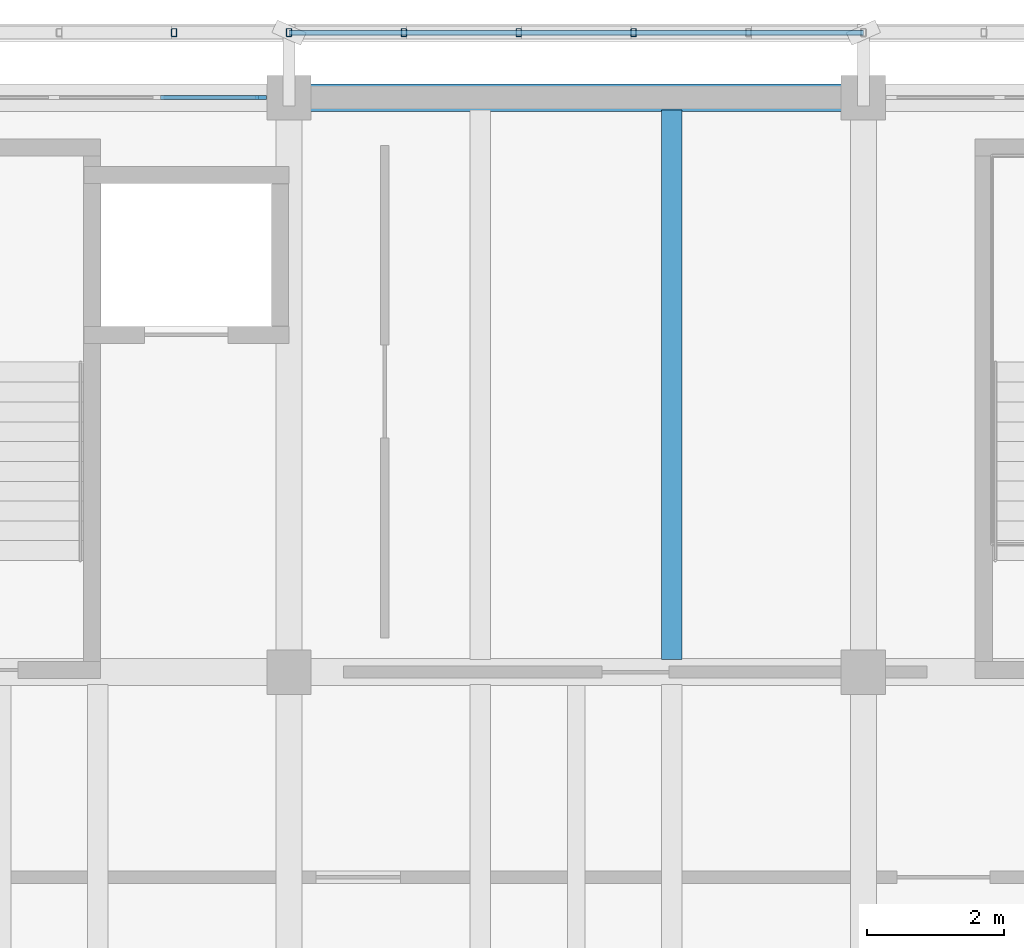
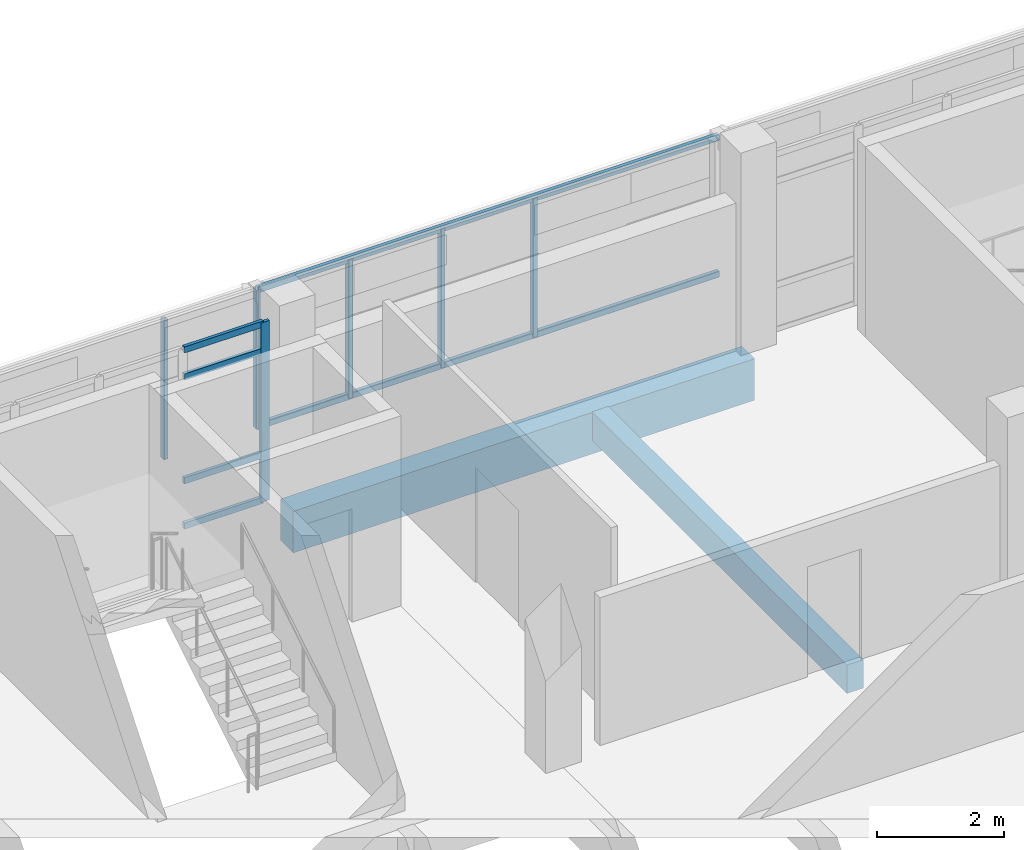
# One storey, part 50 of 117: 12 members, 2 beams, 1 element without a shape of its own.
"""IFC4 building model written with IfcOpenShell, lengths in metres."""

from ifc_helpers import new_model, si_unit, direction, frame, origin, origin_2d, place, context, subcontext, project, spatial, rectangle, hollow_rectangle, extrude, material, material_profile, profile_set, type_object, element, aggregate, save


model = new_model("IFC4")

# Units and contexts
model_context = context("Model", 3, precision=1e-05, world=origin(), true_north=direction((0.0, 1.0)))
body_context = subcontext(model_context, "Body", "Model", "MODEL_VIEW")
ifc_project = project(units=[si_unit("LENGTHUNIT", "METRE"), si_unit("AREAUNIT", "SQUARE_METRE"), si_unit("VOLUMEUNIT", "CUBIC_METRE"), si_unit("PLANEANGLEUNIT", "RADIAN"), si_unit("MASSUNIT", "GRAM", prefix="KILO")], contexts=[model_context])

# Site, building, storey
site_placement = place(None, origin())
site = spatial("IfcSite", under=ifc_project, at=site_placement, CompositionType="ELEMENT")
building_placement = place(site_placement, origin())
building = spatial("IfcBuilding", under=site, at=building_placement, Name="Cinderway Yard Community Centre", CompositionType="ELEMENT")
storey_placement = place(building_placement, frame((0.0, 0.0, 9.0)))
storey = spatial("IfcBuildingStorey", under=building, at=storey_placement, Name="L02", CompositionType="ELEMENT", Elevation=9.0)

# Curtain wall, members
ifc_material_1 = material(Name="Aluminium 6063-T6", Category="aluminium")
curtain_wall_type = type_object("IfcCurtainWallType", Name="ENV-CW-TYPE-29", PredefinedType="USERDEFINED", material=ifc_material_1)
curtain_wall_placement = place(storey_placement, origin())
curtain_wall = element("IfcCurtainWall", 1, at=curtain_wall_placement, inside=storey, type_object=curtain_wall_type, Name="V4 Street Curtain Wall ENV-CW-L02-ST-0145", ObjectType="GLAZED CURTAIN WALL", PredefinedType="USERDEFINED")
ifc_material_profile_1 = material_profile(ifc_material_1, rectangle(XDim=0.06005859375, YDim=0.159912109375, at=origin_2d()), Name="Aluminium 6063-T6")
ifc_profile_set_1 = profile_set([ifc_material_profile_1], Name="Aluminium 6063-T6")
member_type_1 = type_object("IfcMemberType", Name="ENV-CW-MULL-150", PredefinedType="MULLION", material=ifc_profile_set_1)
member_1_placement = place(storey_placement, frame((66.389892578125, 115.199951171875, 0.0), z_axis=(0.0, 0.0, 1.0), x_axis=(0.0, 1.0, 0.0)))
member_1 = element("IfcMember", 2, at=member_1_placement, type_object=member_type_1, Name="CW-29 mullion 6", PredefinedType="MULLION", context=body_context, shape_type="SweptSolid", body=[
    extrude(rectangle(XDim=0.06005859375, YDim=0.159912109375, at=origin_2d()), origin(), (0.0, 0.0, 1.0), 3.449951171875),
])
ifc_material_profile_2 = material_profile(ifc_material_1, rectangle(XDim=0.06005859375, YDim=0.1201171875, at=origin_2d()), Name="Aluminium 6063-T6")
ifc_profile_set_2 = profile_set([ifc_material_profile_2], Name="Aluminium 6063-T6")
member_type_2 = type_object("IfcMemberType", Name="ENV-CW-TRAN-110", PredefinedType="USERDEFINED", material=ifc_profile_set_2)
member_2_placement = place(storey_placement, frame((64.922119140625, 115.199951171875, 0.030029296875), z_axis=(1.0, 0.0, 0.0), x_axis=(0.0, 1.0, 0.0)))
member_2 = element("IfcMember", 3, at=member_2_placement, type_object=member_type_2, Name="CW-29 transom 5.1", ObjectType="TRANSOM", PredefinedType="USERDEFINED", context=body_context, shape_type="SweptSolid", body=[
    extrude(rectangle(XDim=0.06005859375, YDim=0.1201171875, at=origin_2d()), origin(), (0.0, 0.0, 1.0), 1.43798828125),
])
member_3_placement = place(storey_placement, frame((64.922119140625, 115.199951171875, 0.89990234375), z_axis=(1.0, 0.0, 0.0), x_axis=(0.0, 1.0, 0.0)))
member_3 = element("IfcMember", 4, at=member_3_placement, type_object=member_type_2, Name="CW-29 transom 5.2", ObjectType="TRANSOM", PredefinedType="USERDEFINED", context=body_context, shape_type="SweptSolid", body=[
    extrude(rectangle(XDim=0.06005859375, YDim=0.1201171875, at=origin_2d()), origin(), (0.0, 0.0, 1.0), 1.43798828125),
])
member_4_placement = place(storey_placement, frame((64.922119140625, 115.199951171875, 2.89990234375), z_axis=(1.0, 0.0, 0.0), x_axis=(0.0, 1.0, 0.0)))
member_4 = element("IfcMember", 5, at=member_4_placement, type_object=member_type_2, Name="CW-29 transom 5.3", ObjectType="TRANSOM", PredefinedType="USERDEFINED", context=body_context, shape_type="SweptSolid", body=[
    extrude(rectangle(XDim=0.06005859375, YDim=0.1201171875, at=origin_2d()), origin(), (0.0, 0.0, 1.0), 1.43798828125),
])
member_5_placement = place(storey_placement, frame((64.922119140625, 115.199951171875, 3.419921875), z_axis=(1.0, 0.0, 0.0), x_axis=(0.0, 1.0, 0.0)))
member_5 = element("IfcMember", 6, at=member_5_placement, type_object=member_type_2, Name="CW-29 transom 5.4", ObjectType="TRANSOM", PredefinedType="USERDEFINED", context=body_context, shape_type="SweptSolid", body=[
    extrude(rectangle(XDim=0.06005859375, YDim=0.1201171875, at=origin_2d()), origin(), (0.0, 0.0, 1.0), 1.43798828125),
])
aggregate(curtain_wall, [member_1, member_2, member_3, member_4, member_5])

# Members
ifc_material_2 = material(Name="Steel S355", Category="steel")
ifc_material_profile_3 = material_profile(ifc_material_2, hollow_rectangle(XDim=0.080078125, YDim=0.1201171875, WallThickness=0.00634765625, InnerFilletRadius=0.00634765625, OuterFilletRadius=0.0126953125, at=origin_2d()), Name="Steel S355")
ifc_profile_set_3 = profile_set([ifc_material_profile_3], Name="Steel S355")
member_type_3 = type_object("IfcMemberType", Name="ENV-MEM-SCREEN-RAIL-120", PredefinedType="STRINGER", material=ifc_profile_set_3)
for number, where, z_axis, x_axis, name in (
    (7, (65.1201171875, 116.14990234375, 0.68994140625), (0.0, 0.0, 1.0), (1.0, 0.0, 0.0), "Screen vertical mullion 0120"),
    (8, (66.800048828125, 116.14990234375, 0.68994140625), (0.0, 0.0, 1.0), (1.0, 0.0, 0.0), "Screen vertical mullion 0121"),
):
    element("IfcMember", number, at=place(storey_placement, frame(where, z_axis=z_axis, x_axis=x_axis)), inside=storey, type_object=member_type_3, Name=name, PredefinedType="STRINGER", context=body_context, shape_type="SweptSolid", body=[
        extrude(hollow_rectangle(XDim=0.080078125, YDim=0.1201171875, WallThickness=0.00634765625, InnerFilletRadius=0.00634765625, OuterFilletRadius=0.0126953125, at=origin_2d()), origin(), (0.0, 0.0, 1.0), 2.670166015625),
    ])
for number, where, z_axis, x_axis, name in (
    (9, (66.800048828125, 116.14990234375, 0.7099609375), (1.0, 0.0, 0.0), (0.0, 1.0, 0.0), "Screen support rail 0123-BOT"),
    (10, (66.800048828125, 116.14990234375, 3.340087890625), (1.0, 0.0, 0.0), (0.0, 1.0, 0.0), "Screen support rail 0124-TOP"),
):
    element("IfcMember", number, at=place(storey_placement, frame(where, z_axis=z_axis, x_axis=x_axis)), inside=storey, type_object=member_type_3, Name=name, PredefinedType="STRINGER", context=body_context, shape_type="SweptSolid", body=[
        extrude(hollow_rectangle(XDim=0.080078125, YDim=0.1201171875, WallThickness=0.00634765625, InnerFilletRadius=0.00634765625, OuterFilletRadius=0.0126953125, at=origin_2d()), origin(), (0.0, 0.0, 1.0), 8.39990234375),
    ])
for number, where, z_axis, x_axis, name in (
    (11, (68.47998046875, 116.14990234375, 0.68994140625), (0.0, 0.0, 1.0), (1.0, 0.0, 0.0), "Screen vertical mullion 0125"),
    (12, (70.159912109375, 116.14990234375, 0.68994140625), (0.0, 0.0, 1.0), (1.0, 0.0, 0.0), "Screen vertical mullion 0126"),
    (13, (71.840087890625, 116.14990234375, 0.68994140625), (0.0, 0.0, 1.0), (1.0, 0.0, 0.0), "Screen vertical mullion 0127"),
):
    element("IfcMember", number, at=place(storey_placement, frame(where, z_axis=z_axis, x_axis=x_axis)), inside=storey, type_object=member_type_3, Name=name, PredefinedType="STRINGER", context=body_context, shape_type="SweptSolid", body=[
        extrude(hollow_rectangle(XDim=0.080078125, YDim=0.1201171875, WallThickness=0.00634765625, InnerFilletRadius=0.00634765625, OuterFilletRadius=0.0126953125, at=origin_2d()), origin(), (0.0, 0.0, 1.0), 2.670166015625),
    ])

# Beams
ifc_material_3 = material(Name="Concrete C35/45", Category="concrete")
ifc_material_profile_4 = material_profile(ifc_material_3, rectangle(XDim=0.300048828125, YDim=0.550048828125, at=origin_2d()), Name="Concrete C35/45")
ifc_profile_set_4 = profile_set([ifc_material_profile_4], Name="Concrete C35/45")
beam_type_1 = type_object("IfcBeamType", Name="STR-BM-RC300X550", PredefinedType="JOIST", material=ifc_profile_set_4)
beam_1_placement = place(storey_placement, frame((72.39990234375, 106.98193359375, -0.514892578125), z_axis=(0.0, 1.0, 0.0), x_axis=(-1.0, 0.0, 0.0)))
element("IfcBeam", 14, at=beam_1_placement, inside=storey, type_object=beam_type_1, Name="Secondary joist STR-BM-L02-BJ03-0604", PredefinedType="JOIST", context=body_context, shape_type="SweptSolid", body=[
    extrude(rectangle(XDim=0.300048828125, YDim=0.550048828125, at=origin_2d()), origin(), (0.0, 0.0, 1.0), 8.0361328125),
])
ifc_material_4 = material(Name="Concrete C40/50", Category="concrete")
ifc_material_profile_5 = material_profile(ifc_material_4, rectangle(XDim=0.39990234375, YDim=0.800048828125, at=origin_2d()), Name="Concrete C40/50")
ifc_profile_set_5 = profile_set([ifc_material_profile_5], Name="Concrete C40/50")
beam_type_2 = type_object("IfcBeamType", Name="STR-BM-RC400X800", PredefinedType="BEAM", material=ifc_profile_set_5)
beam_2_placement = place(storey_placement, frame((66.800048828125, 115.199951171875, -0.639892578125), z_axis=(1.0, 0.0, 0.0), x_axis=(0.0, 1.0, 0.0)))
element("IfcBeam", 15, at=beam_2_placement, inside=storey, type_object=beam_type_2, Name="Primary girder STR-BM-L02-BG05-0535", PredefinedType="BEAM", context=body_context, shape_type="SweptSolid", body=[
    extrude(rectangle(XDim=0.39990234375, YDim=0.800048828125, at=origin_2d()), origin(), (0.0, 0.0, 1.0), 8.39990234375),
])

save(model, "model.ifc")
